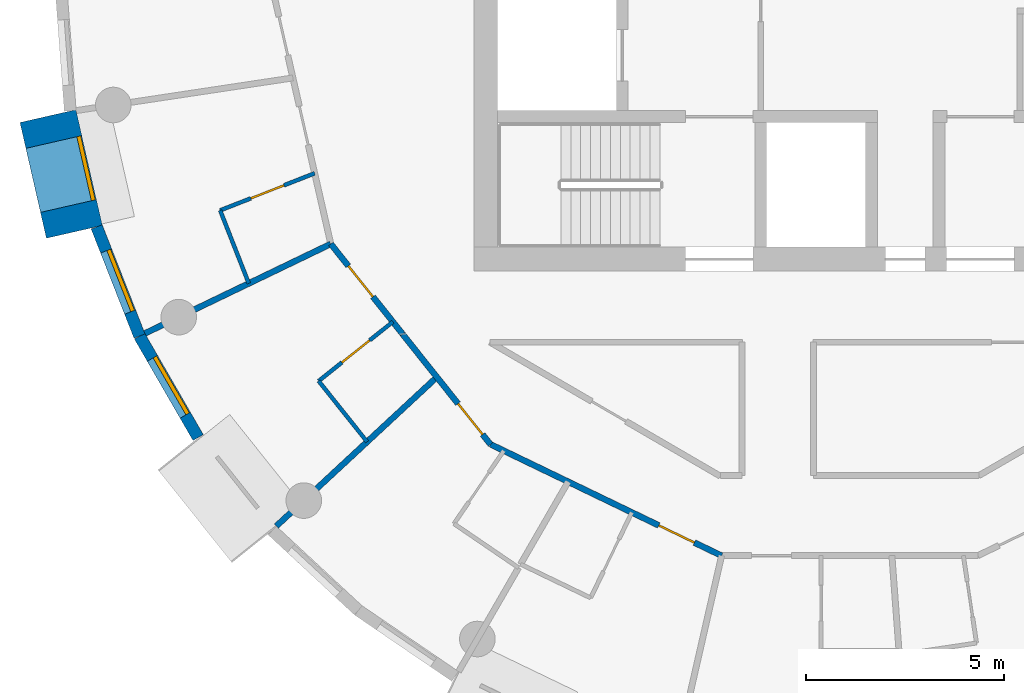
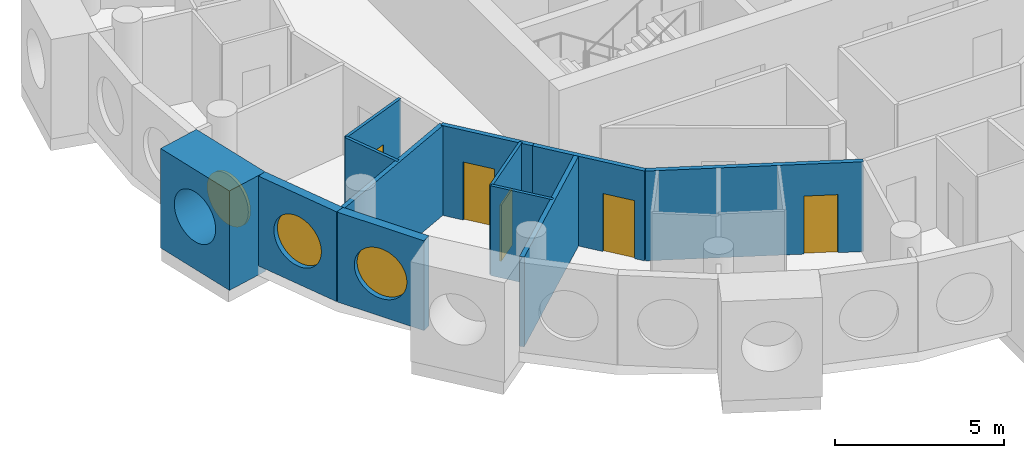
# One storey, part 2 of 12: 12 walls, 5 doors, 3 windows, 8 openings.
"""IFC4 building model written with IfcOpenShell, lengths in metres."""

from ifc_helpers import new_model, si_unit, direction, frame, frame_2d, origin, origin_2d, place, context, subcontext, project, spatial, rectangle, circle, extrude, material, layer, layer_set, type_object, element, fill, save


model = new_model("IFC4")

# Units and contexts
model_context = context("Model", 3, precision=1e-05, world=origin(), true_north=direction((0.0, 1.0)))
body_context = subcontext(model_context, "Body", "Model", "MODEL_VIEW")
ifc_project = project(units=[si_unit("LENGTHUNIT", "METRE"), si_unit("AREAUNIT", "SQUARE_METRE"), si_unit("VOLUMEUNIT", "CUBIC_METRE"), si_unit("PLANEANGLEUNIT", "RADIAN"), si_unit("MASSUNIT", "GRAM", prefix="KILO")], contexts=[model_context])

# Site, building, storey
site_placement = place(None, origin())
site = spatial("IfcSite", under=ifc_project, at=site_placement, CompositionType="ELEMENT")
building_placement = place(site_placement, origin())
building = spatial("IfcBuilding", under=site, at=building_placement, Name="Tracery Tower", CompositionType="ELEMENT")
storey_placement = place(building_placement, frame((0.0, 0.0, 283.800048828125)))
storey = spatial("IfcBuildingStorey", under=building, at=storey_placement, Name="L73", CompositionType="ELEMENT", Elevation=283.800048828125)

# Wall, opening, window
ifc_material_1 = material(Name="Precast concrete C50/60", Category="concrete")
ifc_layer_1 = layer(ifc_material_1, 1.449951171875)
ifc_layer_set_1 = layer_set([ifc_layer_1], Name="Deep-set bay unit 3000 x 3600, slab edge 350")
wall_type_1 = type_object("IfcWallType", Name="Deep-set bay unit 3000 x 3600, slab edge 350", PredefinedType="ELEMENTEDWALL", material=ifc_layer_set_1)
wall_1_placement = place(storey_placement, frame((-20.262451171875, -3.086181640625, -0.35009765625), z_axis=(0.0, 0.0, 1.0), x_axis=(0.222570682856, -0.974916555985, 0.0)))
wall_1 = element("IfcWall", 1, at=wall_1_placement, inside=storey, type_object=wall_type_1, Name="Deep-set bay unit 23 at L73", PredefinedType="ELEMENTEDWALL", context=body_context, shape_type="SweptSolid", body=[
    extrude(rectangle(XDim=3.0, YDim=1.449951171875, at=frame_2d((1.5, 0.0))), origin(), (0.0, 0.0, 1.0), 3.60009765625),
])
opening_1_placement = place(wall_1_placement, frame((1.5, 0.0, 1.89990234375)))
opening_1 = element("IfcOpeningElement", 2, at=opening_1_placement, cuts=wall_1, Name="Opening WN1", PredefinedType="OPENING", context=body_context, shape_type="SweptSolid", body=[
    extrude(circle(Radius=0.9000244140625, at=origin_2d()), frame((0.0, 0.73486328125, 0.0), z_axis=(0.0, -1.0, 0.0), x_axis=(1.0, 0.0, 0.0)), (0.0, 0.0, 1.0), 1.469970703125),
])
ifc_material_2 = material(Name="Aluminium frame with tinted double glazing", Category="aluminium")
window_type = type_object("IfcWindowType", Name="Round window 1800", PartitioningType="SINGLE_PANEL", PredefinedType="WINDOW", material=ifc_material_2)
window_1_placement = place(opening_1_placement, origin())
window_1 = element("IfcWindow", 3, at=window_1_placement, inside=storey, type_object=window_type, Name="Round window 23 at L73", OverallHeight=1.800048828125, OverallWidth=1.800048828125, PartitioningType="SINGLE_PANEL", PredefinedType="WINDOW", context=body_context, shape_type="SweptSolid", body=[
    extrude(circle(Radius=0.9000244140625, at=origin_2d()), frame((0.0, 0.69482421875, 0.0), z_axis=(0.0, -1.0, 0.0), x_axis=(1.0, 0.0, 0.0)), (0.0, 0.0, 1.0), 0.10009765625),
])
fill(opening_1, window_1)

ifc_material_3 = material(Name="Precast concrete C50/60", Category="concrete")
ifc_layer_2 = layer(ifc_material_3, 0.300048828125)
ifc_layer_set_2 = layer_set([ifc_layer_2], Name="Facade panel 3000 x 3250")
wall_type_2 = type_object("IfcWallType", Name="Facade panel 3000 x 3250", PredefinedType="SOLIDWALL", material=ifc_layer_set_2)
wall_2_placement = place(storey_placement, frame((-19.03125, -5.88623046875, 0.0), z_axis=(0.0, 0.0, 1.0), x_axis=(0.365343821297, -0.930872650925, 0.0)))
wall_2 = element("IfcWall", 4, at=wall_2_placement, inside=storey, type_object=wall_type_2, Name="Facade panel 24 at L73", PredefinedType="SOLIDWALL", context=body_context, shape_type="SweptSolid", body=[
    extrude(rectangle(XDim=2.96240234375, YDim=0.300048828125, at=frame_2d((1.481201171875, 0.0))), origin(), (0.0, 0.0, 1.0), 3.25),
])
opening_2_placement = place(wall_2_placement, frame((1.48095703125, 0.0, 1.5498046875)))
opening_2 = element("IfcOpeningElement", 5, at=opening_2_placement, cuts=wall_2, Name="Opening WN1", PredefinedType="OPENING", context=body_context, shape_type="SweptSolid", body=[
    extrude(circle(Radius=0.9000244140625, at=origin_2d()), frame((0.0, 0.159912109375, 0.0), z_axis=(0.0, -1.0, 0.0), x_axis=(1.0, 0.0, 0.0)), (0.0, 0.0, 1.0), 0.320068359375),
])
window_2_placement = place(opening_2_placement, origin())
window_2 = element("IfcWindow", 6, at=window_2_placement, inside=storey, type_object=window_type, Name="Round window 24 at L73", OverallHeight=1.800048828125, OverallWidth=1.800048828125, PartitioningType="SINGLE_PANEL", PredefinedType="WINDOW", context=body_context, shape_type="SweptSolid", body=[
    extrude(circle(Radius=0.9000244140625, at=origin_2d()), frame((0.0, 0.1201171875, 0.0), z_axis=(0.0, -1.0, 0.0), x_axis=(1.0, 0.0, 0.0)), (0.0, 0.0, 1.0), 0.10009765625),
])
fill(opening_2, window_2)

wall_3_placement = place(storey_placement, frame((-17.948974609375, -8.643798828125, 0.0), z_axis=(0.0, 0.0, 1.0), x_axis=(0.500012570604, -0.866018146021, 0.0)))
wall_3 = element("IfcWall", 7, at=wall_3_placement, inside=storey, type_object=wall_type_2, Name="Facade panel 25 at L73", PredefinedType="SOLIDWALL", context=body_context, shape_type="SweptSolid", body=[
    extrude(rectangle(XDim=2.96240234375, YDim=0.300048828125, at=frame_2d((1.481201171875, 0.0))), origin(), (0.0, 0.0, 1.0), 3.25),
])
opening_3_placement = place(wall_3_placement, frame((1.48095703125, 0.0, 1.5498046875)))
opening_3 = element("IfcOpeningElement", 8, at=opening_3_placement, cuts=wall_3, Name="Opening WN1", PredefinedType="OPENING", context=body_context, shape_type="SweptSolid", body=[
    extrude(circle(Radius=0.9000244140625, at=origin_2d()), frame((0.0, 0.159912109375, 0.0), z_axis=(0.0, -1.0, 0.0), x_axis=(1.0, 0.0, 0.0)), (0.0, 0.0, 1.0), 0.320068359375),
])
window_3_placement = place(opening_3_placement, origin())
window_3 = element("IfcWindow", 9, at=window_3_placement, inside=storey, type_object=window_type, Name="Round window 25 at L73", OverallHeight=1.800048828125, OverallWidth=1.800048828125, PartitioningType="SINGLE_PANEL", PredefinedType="WINDOW", context=body_context, shape_type="SweptSolid", body=[
    extrude(circle(Radius=0.9000244140625, at=origin_2d()), frame((0.0, 0.1201171875, 0.0), z_axis=(0.0, -1.0, 0.0), x_axis=(1.0, 0.0, 0.0)), (0.0, 0.0, 1.0), 0.10009765625),
])
fill(opening_3, window_3)

# Wall, opening, door
ifc_material_4 = material(Name="Plasterboard on steel studs", Category="steel")
ifc_layer_3 = layer(ifc_material_4, 0.10009765625)
ifc_layer_set_3 = layer_set([ifc_layer_3], Name="Partition 100 wet wall")
wall_type_3 = type_object("IfcWallType", Name="Partition 100 wet wall", PredefinedType="PARTITIONING", material=ifc_layer_set_3)
wall_4_placement = place(storey_placement, frame((-15.910888671875, -5.468017578125, 0.0), z_axis=(0.0, 0.0, 1.0), x_axis=(0.930898333543, 0.365278376867, 0.0)))
wall_4 = element("IfcWall", 10, at=wall_4_placement, inside=storey, type_object=wall_type_3, Name="Wet wall RC6-067", PredefinedType="PARTITIONING", context=body_context, shape_type="SweptSolid", body=[
    extrude(rectangle(XDim=2.565185546875, YDim=0.10009765625, at=frame_2d((1.28271484375, 0.0))), origin(), (0.0, 0.0, 1.0), 3.25),
])
opening_4_placement = place(wall_4_placement, frame((0.832275390625, 0.0, 0.0)))
opening_4 = element("IfcOpeningElement", 11, at=opening_4_placement, cuts=wall_4, Name="Opening RC6-18", PredefinedType="OPENING", context=body_context, shape_type="SweptSolid", body=[
    extrude(rectangle(XDim=0.89990234375, YDim=2.0400390625, at=frame_2d((0.449951171875, 1.02001953125))), frame((0.0, 0.050048828125, 0.0), z_axis=(0.0, -1.0, 0.0), x_axis=(1.0, 0.0, 0.0)), (0.0, 0.0, 1.0), 0.10009765625),
])
ifc_material_5 = material(Name="Timber door leaf", Category="wood")
door_type_1 = type_object("IfcDoorType", Name="Door en-suite 900", OperationType="NOTDEFINED", PredefinedType="DOOR", material=ifc_material_5)
door_1_placement = place(opening_4_placement, origin())
door_1 = element("IfcDoor", 12, at=door_1_placement, inside=storey, type_object=door_type_1, Name="En-suite door RC6-18", OperationType="SINGLE_SWING_RIGHT", OverallHeight=2.0400390625, OverallWidth=0.89990234375, PredefinedType="DOOR", context=body_context, shape_type="SweptSolid", body=[
    extrude(rectangle(XDim=0.89990234375, YDim=2.0400390625, at=frame_2d((0.449951171875, 1.02001953125))), frame((0.0, 0.02490234375, 0.0), z_axis=(0.0, -1.0, 0.0), x_axis=(1.0, 0.0, 0.0)), (0.0, 0.0, 1.0), 0.050048828125),
])
fill(opening_4, door_1)

# Wall
wall_5_placement = place(storey_placement, frame((-15.910888671875, -5.468017578125, 0.0), z_axis=(0.0, 0.0, 1.0), x_axis=(0.36507706633, -0.930977301356, 0.0)))
element("IfcWall", 13, at=wall_5_placement, inside=storey, type_object=wall_type_3, Name="Wet wall RC6-068", PredefinedType="PARTITIONING", context=body_context, shape_type="SweptSolid", body=[
    extrude(rectangle(XDim=1.98291015625, YDim=0.10009765625, at=frame_2d((0.991455078125, 0.0))), origin(), (0.0, 0.0, 1.0), 3.25),
])

# Wall, opening, door
wall_6_placement = place(storey_placement, frame((-13.422119140625, -9.780029296875, 0.0), z_axis=(0.0, 0.0, 1.0), x_axis=(0.781860394524, 0.623453545562, 0.0)))
wall_6 = element("IfcWall", 14, at=wall_6_placement, inside=storey, type_object=wall_type_3, Name="Wet wall RC6-070", PredefinedType="PARTITIONING", context=body_context, shape_type="SweptSolid", body=[
    extrude(rectangle(XDim=2.399658203125, YDim=0.10009765625, at=frame_2d((1.19970703125, 0.0))), origin(), (0.0, 0.0, 1.0), 3.25),
])
opening_5_placement = place(wall_6_placement, frame((0.74951171875, 0.0, 0.0)))
opening_5 = element("IfcOpeningElement", 15, at=opening_5_placement, cuts=wall_6, Name="Opening RC6-20", PredefinedType="OPENING", context=body_context, shape_type="SweptSolid", body=[
    extrude(rectangle(XDim=0.89990234375, YDim=2.0400390625, at=frame_2d((0.449951171875, 1.02001953125))), frame((0.0, 0.050048828125, 0.0), z_axis=(0.0, -1.0, 0.0), x_axis=(1.0, 0.0, 0.0)), (0.0, 0.0, 1.0), 0.10009765625),
])
door_2_placement = place(opening_5_placement, origin())
door_2 = element("IfcDoor", 16, at=door_2_placement, inside=storey, type_object=door_type_1, Name="En-suite door RC6-20", OperationType="SINGLE_SWING_RIGHT", OverallHeight=2.0400390625, OverallWidth=0.89990234375, PredefinedType="DOOR", context=body_context, shape_type="SweptSolid", body=[
    extrude(rectangle(XDim=0.89990234375, YDim=2.0400390625, at=frame_2d((0.449951171875, 1.02001953125))), frame((0.0, 0.02490234375, 0.0), z_axis=(0.0, -1.0, 0.0), x_axis=(1.0, 0.0, 0.0)), (0.0, 0.0, 1.0), 0.050048828125),
])
fill(opening_5, door_2)

# Walls
wall_7_placement = place(storey_placement, frame((-13.422119140625, -9.780029296875, 0.0), z_axis=(0.0, 0.0, 1.0), x_axis=(0.623330716607, -0.781958322249, 0.0)))
element("IfcWall", 17, at=wall_7_placement, inside=storey, type_object=wall_type_3, Name="Wet wall RC6-071", PredefinedType="PARTITIONING", context=body_context, shape_type="SweptSolid", body=[
    extrude(rectangle(XDim=1.96533203125, YDim=0.10009765625, at=frame_2d((0.982666015625, 0.0))), origin(), (0.0, 0.0, 1.0), 3.25),
])
ifc_material_6 = material(Name="Plasterboard on steel studs", Category="steel")
ifc_layer_4 = layer(ifc_material_6, 0.14990234375)
ifc_layer_set_4 = layer_set([ifc_layer_4], Name="Partition 150 acoustic unit wall")
wall_type_4 = type_object("IfcWallType", Name="Partition 150 acoustic unit wall", PredefinedType="PARTITIONING", material=ifc_layer_set_4)
wall_8_placement = place(storey_placement, frame((-17.81298828125, -8.577880859375, 0.0), z_axis=(0.0, 0.0, 1.0), x_axis=(0.901049790108, 0.433715662325, 0.0)))
element("IfcWall", 18, at=wall_8_placement, inside=storey, type_object=wall_type_4, Name="Unit wall RC6-069", PredefinedType="PARTITIONING", context=body_context, shape_type="SweptSolid", body=[
    extrude(rectangle(XDim=5.214111328125, YDim=0.14990234375, at=frame_2d((2.60693359375, 0.0))), origin(), (0.0, 0.0, 1.0), 3.25),
])
wall_9_placement = place(storey_placement, frame((-14.492919921875, -13.447998046875, 0.0), z_axis=(0.0, 0.0, 1.0), x_axis=(0.73295202722, 0.68028032883, 0.0)))
element("IfcWall", 19, at=wall_9_placement, inside=storey, type_object=wall_type_4, Name="Unit wall RC6-072", PredefinedType="PARTITIONING", context=body_context, shape_type="SweptSolid", body=[
    extrude(rectangle(XDim=5.5390625, YDim=0.14990234375, at=frame_2d((2.76953125, 0.0))), origin(), (0.0, 0.0, 1.0), 3.25),
])

# Wall, opening, door
ifc_material_7 = material(Name="Plasterboard on steel studs", Category="steel")
ifc_layer_5 = layer(ifc_material_7, 0.14990234375)
ifc_layer_set_5 = layer_set([ifc_layer_5], Name="Partition 150 corridor wall")
wall_type_5 = type_object("IfcWallType", Name="Partition 150 corridor wall", PredefinedType="PARTITIONING", material=ifc_layer_set_5)
wall_10_placement = place(storey_placement, frame((-11.300048828125, -8.59619140625, 0.0), z_axis=(0.0, 0.0, 1.0), x_axis=(0.623390921228, -0.781910326911, 0.0)))
wall_10 = element("IfcWall", 20, at=wall_10_placement, inside=storey, type_object=wall_type_5, Name="Corridor wall RC6-015", PredefinedType="PARTITIONING", context=body_context, shape_type="SweptSolid", body=[
    extrude(rectangle(XDim=3.56396484375, YDim=0.14990234375, at=frame_2d((1.781982421875, 0.0))), origin(), (0.0, 0.0, 1.0), 3.25),
])
opening_6_placement = place(wall_10_placement, frame((2.243896484375, 0.0, 0.0)))
opening_6 = element("IfcOpeningElement", 21, at=opening_6_placement, cuts=wall_10, Name="Opening RC6-23", PredefinedType="OPENING", context=body_context, shape_type="SweptSolid", body=[
    extrude(rectangle(XDim=1.0, YDim=2.10009765625, at=frame_2d((0.5, 1.050048828125))), frame((0.0, 0.074951171875, 0.0), z_axis=(0.0, -1.0, 0.0), x_axis=(1.0, 0.0, 0.0)), (0.0, 0.0, 1.0), 0.14990234375),
])
ifc_material_8 = material(Name="Timber door leaf", Category="wood")
door_type_2 = type_object("IfcDoorType", Name="Door unit entrance 1000", OperationType="NOTDEFINED", PredefinedType="DOOR", material=ifc_material_8)
door_3_placement = place(opening_6_placement, origin())
door_3 = element("IfcDoor", 22, at=door_3_placement, inside=storey, type_object=door_type_2, Name="Unit entrance door RC6-23", OperationType="SINGLE_SWING_LEFT", OverallHeight=2.10009765625, OverallWidth=1.0, PredefinedType="DOOR", context=body_context, shape_type="SweptSolid", body=[
    extrude(rectangle(XDim=1.0, YDim=2.10009765625, at=frame_2d((0.5, 1.050048828125))), frame((0.0, 0.02490234375, 0.0), z_axis=(0.0, -1.0, 0.0), x_axis=(1.0, 0.0, 0.0)), (0.0, 0.0, 1.0), 0.050048828125),
])
fill(opening_6, door_3)

wall_11_placement = place(storey_placement, frame((-13.114990234375, -6.31591796875, 0.0), z_axis=(0.0, 0.0, 1.0), x_axis=(0.623303083673, -0.781980348784, 0.0)))
wall_11 = element("IfcWall", 23, at=wall_11_placement, inside=storey, type_object=wall_type_5, Name="Corridor wall RC6-036", PredefinedType="PARTITIONING", context=body_context, shape_type="SweptSolid", body=[
    extrude(rectangle(XDim=2.9111328125, YDim=0.14990234375, at=frame_2d((1.45556640625, 0.0))), origin(), (0.0, 0.0, 1.0), 3.25),
])
opening_7_placement = place(wall_11_placement, frame((0.71044921875, 0.0, 0.0)))
opening_7 = element("IfcOpeningElement", 24, at=opening_7_placement, cuts=wall_11, Name="Opening RC6-21", PredefinedType="OPENING", context=body_context, shape_type="SweptSolid", body=[
    extrude(rectangle(XDim=1.0, YDim=2.10009765625, at=frame_2d((0.5, 1.050048828125))), frame((0.0, 0.074951171875, 0.0), z_axis=(0.0, -1.0, 0.0), x_axis=(1.0, 0.0, 0.0)), (0.0, 0.0, 1.0), 0.14990234375),
])
door_4_placement = place(opening_7_placement, origin())
door_4 = element("IfcDoor", 25, at=door_4_placement, inside=storey, type_object=door_type_2, Name="Unit entrance door RC6-21", OperationType="SINGLE_SWING_RIGHT", OverallHeight=2.10009765625, OverallWidth=1.0, PredefinedType="DOOR", context=body_context, shape_type="SweptSolid", body=[
    extrude(rectangle(XDim=1.0, YDim=2.10009765625, at=frame_2d((0.5, 1.050048828125))), frame((0.0, 0.02490234375, 0.0), z_axis=(0.0, -1.0, 0.0), x_axis=(1.0, 0.0, 0.0)), (0.0, 0.0, 1.0), 0.050048828125),
])
fill(opening_7, door_4)

wall_12_placement = place(storey_placement, frame((-9.075927734375, -11.381103515625, 0.0), z_axis=(0.0, 0.0, 1.0), x_axis=(0.900778421649, -0.434278983018, 0.0)))
wall_12 = element("IfcWall", 26, at=wall_12_placement, inside=storey, type_object=wall_type_5, Name="Corridor wall RC6-042", PredefinedType="PARTITIONING", context=body_context, shape_type="SweptSolid", body=[
    extrude(rectangle(XDim=6.478515625, YDim=0.14990234375, at=frame_2d((3.2392578125, 0.0))), origin(), (0.0, 0.0, 1.0), 3.25),
])
opening_8_placement = place(wall_12_placement, frame((4.718505859375, 0.0, 0.0)))
opening_8 = element("IfcOpeningElement", 27, at=opening_8_placement, cuts=wall_12, Name="Opening RC6-25", PredefinedType="OPENING", context=body_context, shape_type="SweptSolid", body=[
    extrude(rectangle(XDim=1.0, YDim=2.10009765625, at=frame_2d((0.5, 1.050048828125))), frame((0.0, 0.074951171875, 0.0), z_axis=(0.0, -1.0, 0.0), x_axis=(1.0, 0.0, 0.0)), (0.0, 0.0, 1.0), 0.14990234375),
])
door_5_placement = place(opening_8_placement, origin())
door_5 = element("IfcDoor", 28, at=door_5_placement, inside=storey, type_object=door_type_2, Name="Unit entrance door RC6-25", OperationType="SINGLE_SWING_LEFT", OverallHeight=2.10009765625, OverallWidth=1.0, PredefinedType="DOOR", context=body_context, shape_type="SweptSolid", body=[
    extrude(rectangle(XDim=1.0, YDim=2.10009765625, at=frame_2d((0.5, 1.050048828125))), frame((0.0, 0.02490234375, 0.0), z_axis=(0.0, -1.0, 0.0), x_axis=(1.0, 0.0, 0.0)), (0.0, 0.0, 1.0), 0.050048828125),
])
fill(opening_8, door_5)

save(model, "model.ifc")
